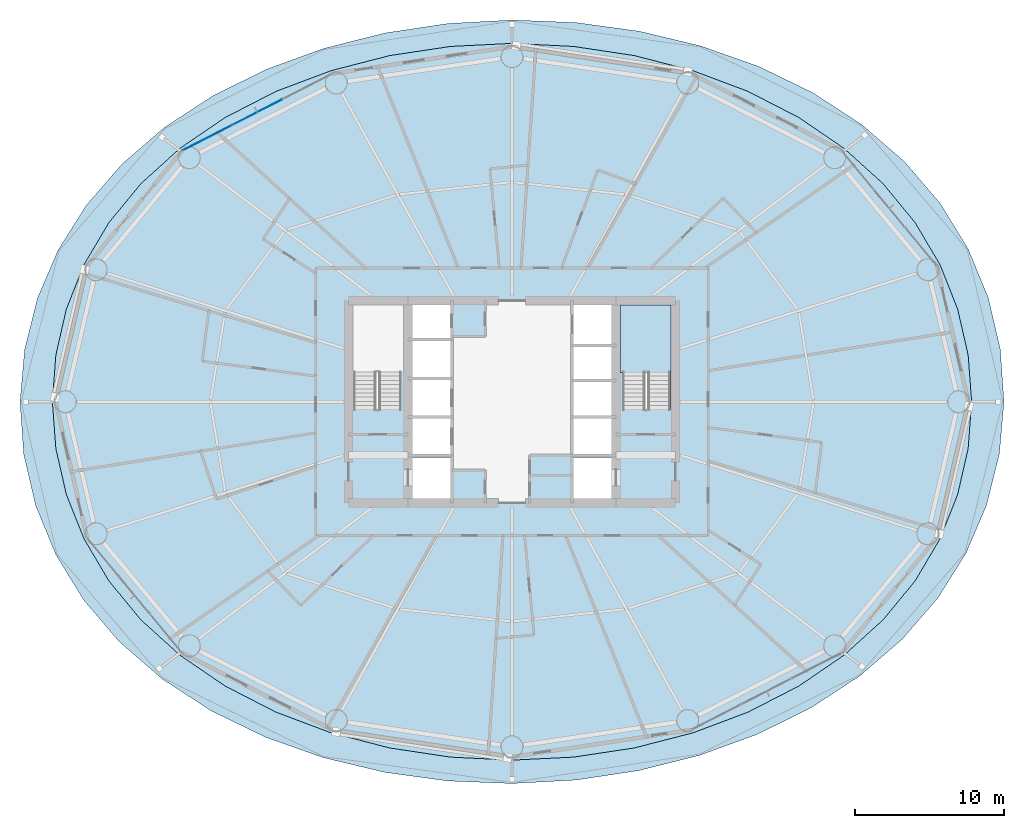
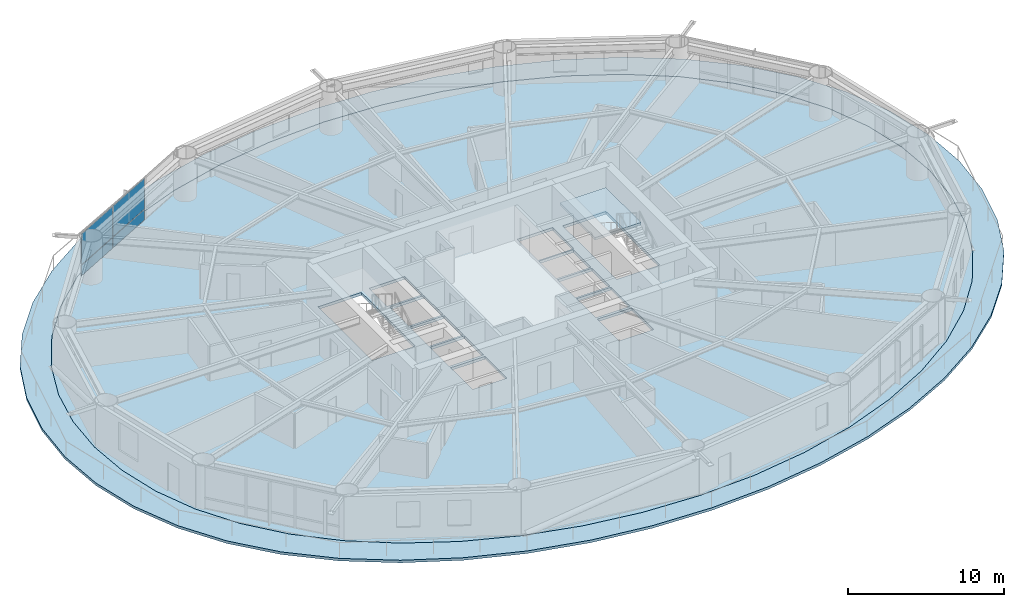
# One storey, part 19 of 28: 4 plates, 3 slabs, 2 elements without a shape of their own.
"""IFC4 building model written with IfcOpenShell, lengths in metres."""

from ifc_helpers import new_model, si_unit, direction, frame, origin, origin_2d, place, context, subcontext, project, spatial, polyline, rectangle, outline, extrude, material, layer, layer_set, type_object, element, aggregate, save


model = new_model("IFC4")

# Units and contexts
model_context = context("Model", 3, precision=1e-05, world=origin(), true_north=direction((0.0, 1.0)))
body_context = subcontext(model_context, "Body", "Model", "MODEL_VIEW")
ifc_project = project(units=[si_unit("LENGTHUNIT", "METRE"), si_unit("AREAUNIT", "SQUARE_METRE"), si_unit("VOLUMEUNIT", "CUBIC_METRE"), si_unit("PLANEANGLEUNIT", "RADIAN"), si_unit("MASSUNIT", "GRAM", prefix="KILO")], contexts=[model_context])

# Site, building, storey
site_placement = place(None, origin())
site = spatial("IfcSite", under=ifc_project, at=site_placement, CompositionType="ELEMENT")
building_placement = place(site_placement, origin())
building = spatial("IfcBuilding", under=site, at=building_placement, Name="Sarneth Arch Tower", CompositionType="ELEMENT")
storey_placement = place(building_placement, frame((0.0, 0.0, 67.800048828125)))
storey = spatial("IfcBuildingStorey", under=building, at=storey_placement, Name="L16", CompositionType="ELEMENT", Elevation=67.800048828125)

# Curtain wall, plates
ifc_material_1 = material(Name="Anodised aluminium Type AA25 and solar-control low-e laminated IGU", Category="aluminium")
ifc_layer_1 = layer(ifc_material_1, 0.159912109375)
ifc_layer_set_1 = layer_set([ifc_layer_1], Name="Anodised aluminium Type AA25 and solar-control low-e laminated IGU")
curtain_wall_type = type_object("IfcCurtainWallType", Name="CW-HOTEL-LOW", PredefinedType="NOTDEFINED", material=ifc_layer_set_1)
curtain_wall_placement = place(storey_placement, origin())
curtain_wall = element("IfcCurtainWall", 1, at=curtain_wall_placement, inside=storey, type_object=curtain_wall_type, Name="L16 Unitised curtain wall facet 06", PredefinedType="NOTDEFINED")
ifc_material_2 = material(Name="Solar-control low-e laminated IGU", Category="glass")
ifc_layer_2 = layer(ifc_material_2, 0.028076171875)
ifc_layer_set_2 = layer_set([ifc_layer_2], Name="Solar-control low-e laminated IGU")
plate_type = type_object("IfcPlateType", Name="CW-PANEL", PredefinedType="CURTAIN_PANEL", material=ifc_layer_set_2)
plate_1_placement = place(storey_placement, frame((30.8740234375, 61.473876953125, 0.059814453125), z_axis=(0.0, 0.0, 1.0), x_axis=(-0.889854100456, -0.456245197127, 0.0)))
plate_1 = element("IfcPlate", 2, at=plate_1_placement, type_object=plate_type, Name="Curtain wall glazed vision pane CW-L16-F06/P01-00", PredefinedType="CURTAIN_PANEL", context=body_context, shape_type="SweptSolid", body=[
    extrude(rectangle(XDim=3.721923828125, YDim=0.028076171875, at=origin_2d()), origin(), (0.0, 0.0, 1.0), 0.81005859375),
])
plate_2_placement = place(storey_placement, frame((30.8740234375, 61.473876953125, 0.93017578125), z_axis=(0.0, 0.0, 1.0), x_axis=(-0.889854100456, -0.456245197127, 0.0)))
plate_2 = element("IfcPlate", 3, at=plate_2_placement, type_object=plate_type, Name="Curtain wall glazed vision pane CW-L16-F06/P01-01", PredefinedType="CURTAIN_PANEL", context=body_context, shape_type="SweptSolid", body=[
    extrude(rectangle(XDim=3.721923828125, YDim=0.028076171875, at=origin_2d()), origin(), (0.0, 0.0, 1.0), 2.389892578125),
])
plate_3_placement = place(storey_placement, frame((27.52197265625, 59.75537109375, 0.059814453125), z_axis=(0.0, 0.0, 1.0), x_axis=(-0.889854100456, -0.456245197127, 0.0)))
plate_3 = element("IfcPlate", 4, at=plate_3_placement, type_object=plate_type, Name="Curtain wall glazed vision pane CW-L16-F06/P02-00", PredefinedType="CURTAIN_PANEL", context=body_context, shape_type="SweptSolid", body=[
    extrude(rectangle(XDim=3.69189453125, YDim=0.028076171875, at=origin_2d()), origin(), (0.0, 0.0, 1.0), 0.81005859375),
])
plate_4_placement = place(storey_placement, frame((27.52197265625, 59.75537109375, 0.93017578125), z_axis=(0.0, 0.0, 1.0), x_axis=(-0.889854100456, -0.456245197127, 0.0)))
plate_4 = element("IfcPlate", 5, at=plate_4_placement, type_object=plate_type, Name="Curtain wall glazed vision pane CW-L16-F06/P02-01", PredefinedType="CURTAIN_PANEL", context=body_context, shape_type="SweptSolid", body=[
    extrude(rectangle(XDim=3.69189453125, YDim=0.028076171875, at=origin_2d()), origin(), (0.0, 0.0, 1.0), 2.389892578125),
])
aggregate(curtain_wall, [plate_1, plate_2, plate_3, plate_4])

# Slab
ifc_material_3 = material(Name="Concrete C50/60", Category="concrete")
ifc_layer_3 = layer(ifc_material_3, 0.199951171875)
ifc_layer_set_3 = layer_set([ifc_layer_3], Name="Concrete C50/60")
slab_type_1 = type_object("IfcSlabType", Name="SLAB-BALC-200", PredefinedType="FLOOR", material=ifc_layer_set_3)
slab_1_placement = place(storey_placement, frame((0.0, 0.0, -0.199951171875)))
element("IfcSlab", 6, at=slab_1_placement, inside=storey, type_object=slab_type_1, Name="L16 Helical balcony band slab", PredefinedType="FLOOR", context=body_context, shape_type="SweptSolid", body=[
    extrude(outline(polyline([(81.0859375, 42.0), (80.83837890625, 45.531982421875), (80.033203125, 48.986083984375), (78.6787109375, 52.281982421875), (76.791015625, 55.3544921875), (74.3955078125, 58.15234375), (71.529296875, 60.63671875), (68.243896484375, 62.776611328125), (64.6044921875, 64.548095703125), (60.685302734375, 65.933349609375), (56.562744140625, 66.920166015625), (52.31103515625, 67.501220703125), (48.0, 67.673583984375), (43.695068359375, 67.4384765625), (39.46142578125, 66.801025390625), (35.3662109375, 65.76904296875), (31.479736328125, 64.354736328125), (27.8740234375, 62.572998046875), (24.6171875, 60.442138671875), (21.768798828125, 57.984130859375), (19.375732421875, 55.225341796875), (17.4716796875, 52.197998046875), (16.081298828125, 48.944580078125), (15.2236328125, 45.520751953125), (14.9140625, 42.0), (15.16162109375, 38.468017578125), (15.966796875, 35.013916015625), (17.3212890625, 31.718017578125), (19.208984375, 28.6455078125), (21.6044921875, 25.84765625), (24.470703125, 23.36328125), (27.756103515625, 21.223388671875), (31.3955078125, 19.451904296875), (35.314697265625, 18.066650390625), (39.437255859375, 17.079833984375), (43.68896484375, 16.498779296875), (48.0, 16.326416015625), (52.304931640625, 16.5615234375), (56.53857421875, 17.198974609375), (60.6337890625, 18.23095703125), (64.520263671875, 19.645263671875), (68.1259765625, 21.427001953125), (71.3828125, 23.557861328125), (74.231201171875, 26.015869140625), (76.624267578125, 28.774658203125), (78.5283203125, 31.802001953125), (79.918701171875, 35.055419921875), (80.7763671875, 38.479248046875), (81.0859375, 42.0)]), holes=[polyline([(78.90966796875, 42.0), (78.675048828125, 45.145751953125), (77.9677734375, 48.237548828125), (76.780029296875, 51.22265625), (75.10595703125, 54.050048828125), (72.94873046875, 56.671142578125), (70.32861328125, 59.041259765625), (67.2841796875, 61.119873046875), (63.8720703125, 62.87109375), (60.162109375, 64.265380859375), (56.2294921875, 65.27880859375), (52.150634765625, 65.893798828125), (48.0, 66.10009765625), (43.849365234375, 65.893798828125), (39.7705078125, 65.27880859375), (35.837890625, 64.265380859375), (32.1279296875, 62.87109375), (28.7158203125, 61.119873046875), (25.67138671875, 59.041259765625), (23.05126953125, 56.671142578125), (20.89404296875, 54.050048828125), (19.219970703125, 51.22265625), (18.0322265625, 48.237548828125), (17.324951171875, 45.145751953125), (17.09033203125, 42.0), (17.324951171875, 38.854248046875), (18.0322265625, 35.762451171875), (19.219970703125, 32.77734375), (20.89404296875, 29.949951171875), (23.05126953125, 27.328857421875), (25.67138671875, 24.958740234375), (28.7158203125, 22.880126953125), (32.1279296875, 21.12890625), (35.837890625, 19.734619140625), (39.7705078125, 18.72119140625), (43.849365234375, 18.106201171875), (48.0, 17.89990234375), (52.150634765625, 18.106201171875), (56.2294921875, 18.72119140625), (60.162109375, 19.734619140625), (63.8720703125, 21.12890625), (67.2841796875, 22.880126953125), (70.32861328125, 24.958740234375), (72.94873046875, 27.328857421875), (75.10595703125, 29.949951171875), (76.780029296875, 32.77734375), (77.9677734375, 35.762451171875), (78.675048828125, 38.854248046875), (78.90966796875, 42.0)])]), origin(), (0.0, 0.0, 1.0), 0.199951171875),
])

# Stair, slab
ifc_material_4 = material(Name="Concrete C50/60", Category="concrete")
stair_type = type_object("IfcStairType", Name="STAIR-CORE-RC", PredefinedType="HALF_TURN_STAIR", material=ifc_material_4)
stair_placement = place(storey_placement, origin())
stair = element("IfcStair", 7, at=stair_placement, inside=storey, type_object=stair_type, Name="L16 Core Exit Stair 2", PredefinedType="HALF_TURN_STAIR")
ifc_material_5 = material(Name="Concrete C50/60", Category="concrete")
ifc_layer_4 = layer(ifc_material_5, 0.199951171875)
ifc_layer_set_4 = layer_set([ifc_layer_4], Name="Concrete C50/60")
slab_type_2 = type_object("IfcSlabType", Name="SLAB-LANDING-200", PredefinedType="LANDING", material=ifc_layer_set_4)
slab_2_placement = place(storey_placement, frame((0.0, 0.0, 1.599853515625)))
slab_2 = element("IfcSlab", 8, at=slab_2_placement, type_object=slab_type_2, Name="ST-2 landing 1", PredefinedType="LANDING", context=body_context, shape_type="SweptSolid", body=[
    extrude(outline(polyline([(55.300048828125, 43.985107421875), (58.699951171875, 43.985107421875), (58.699951171875, 48.5), (55.300048828125, 48.5), (55.300048828125, 43.985107421875)])), origin(), (0.0, 0.0, 1.0), 0.2001953125),
])
aggregate(stair, [slab_2])

# Slab
ifc_material_6 = material(Name="Concrete C50/60", Category="concrete")
ifc_layer_5 = layer(ifc_material_6, 0.219970703125)
ifc_layer_set_5 = layer_set([ifc_layer_5], Name="Concrete C50/60")
slab_type_3 = type_object("IfcSlabType", Name="SLAB-TOWER-220", PredefinedType="FLOOR", material=ifc_layer_set_5)
slab_3_placement = place(storey_placement, frame((0.0, 0.0, -0.219970703125)))
element("IfcSlab", 9, at=slab_3_placement, inside=storey, type_object=slab_type_3, Name="L16 Elliptical floor slab", PredefinedType="FLOOR", context=body_context, shape_type="SweptSolid", body=[
    extrude(outline(polyline([(78.90966796875, 42.0), (78.675048828125, 45.145751953125), (77.9677734375, 48.237548828125), (76.780029296875, 51.22265625), (75.10595703125, 54.050048828125), (72.94873046875, 56.671142578125), (70.32861328125, 59.041259765625), (67.2841796875, 61.119873046875), (63.8720703125, 62.87109375), (60.162109375, 64.265380859375), (56.2294921875, 65.27880859375), (52.150634765625, 65.893798828125), (48.0, 66.10009765625), (43.849365234375, 65.893798828125), (39.7705078125, 65.27880859375), (35.837890625, 64.265380859375), (32.1279296875, 62.87109375), (28.7158203125, 61.119873046875), (25.67138671875, 59.041259765625), (23.05126953125, 56.671142578125), (20.89404296875, 54.050048828125), (19.219970703125, 51.22265625), (18.0322265625, 48.237548828125), (17.324951171875, 45.145751953125), (17.09033203125, 42.0), (17.324951171875, 38.854248046875), (18.0322265625, 35.762451171875), (19.219970703125, 32.77734375), (20.89404296875, 29.949951171875), (23.05126953125, 27.328857421875), (25.67138671875, 24.958740234375), (28.7158203125, 22.880126953125), (32.1279296875, 21.12890625), (35.837890625, 19.734619140625), (39.7705078125, 18.72119140625), (43.849365234375, 18.106201171875), (48.0, 17.89990234375), (52.150634765625, 18.106201171875), (56.2294921875, 18.72119140625), (60.162109375, 19.734619140625), (63.8720703125, 21.12890625), (67.2841796875, 22.880126953125), (70.32861328125, 24.958740234375), (72.94873046875, 27.328857421875), (75.10595703125, 29.949951171875), (76.780029296875, 32.77734375), (77.9677734375, 35.762451171875), (78.675048828125, 38.854248046875), (78.90966796875, 42.0)]), holes=[polyline([(37.35009765625, 41.489990234375), (40.550048828125, 41.489990234375), (40.550048828125, 48.39990234375), (37.35009765625, 48.39990234375), (37.35009765625, 41.489990234375)]), polyline([(55.449951171875, 41.489990234375), (58.64990234375, 41.489990234375), (58.64990234375, 48.39990234375), (55.449951171875, 48.39990234375), (55.449951171875, 41.489990234375)]), polyline([(41.199951171875, 46.25), (43.85009765625, 46.25), (43.85009765625, 48.550048828125), (41.199951171875, 48.550048828125), (41.199951171875, 46.25)]), polyline([(41.300048828125, 35.449951171875), (43.85009765625, 35.449951171875), (43.85009765625, 38.25), (41.300048828125, 38.25), (41.300048828125, 35.449951171875)]), polyline([(52.14990234375, 35.449951171875), (54.699951171875, 35.449951171875), (54.699951171875, 38.25), (52.14990234375, 38.25), (52.14990234375, 35.449951171875)]), polyline([(52.14990234375, 45.85009765625), (54.800048828125, 45.85009765625), (54.800048828125, 48.550048828125), (52.14990234375, 48.550048828125), (52.14990234375, 45.85009765625)]), polyline([(41.300048828125, 38.449951171875), (43.85009765625, 38.449951171875), (43.85009765625, 40.89990234375), (41.300048828125, 40.89990234375), (41.300048828125, 38.449951171875)]), polyline([(41.300048828125, 41.050048828125), (43.85009765625, 41.050048828125), (43.85009765625, 43.5), (41.300048828125, 43.5), (41.300048828125, 41.050048828125)]), polyline([(41.300048828125, 43.64990234375), (43.85009765625, 43.64990234375), (43.85009765625, 46.10009765625), (41.300048828125, 46.10009765625), (41.300048828125, 43.64990234375)]), polyline([(52.14990234375, 38.449951171875), (54.699951171875, 38.449951171875), (54.699951171875, 40.89990234375), (52.14990234375, 40.89990234375), (52.14990234375, 38.449951171875)]), polyline([(52.14990234375, 41.050048828125), (54.699951171875, 41.050048828125), (54.699951171875, 43.35009765625), (52.14990234375, 43.35009765625), (52.14990234375, 41.050048828125)]), polyline([(52.14990234375, 43.5), (54.699951171875, 43.5), (54.699951171875, 45.75), (52.14990234375, 45.75), (52.14990234375, 43.5)])]), origin(), (0.0, 0.0, 1.0), 0.219970703125),
])

save(model, "model.ifc")
